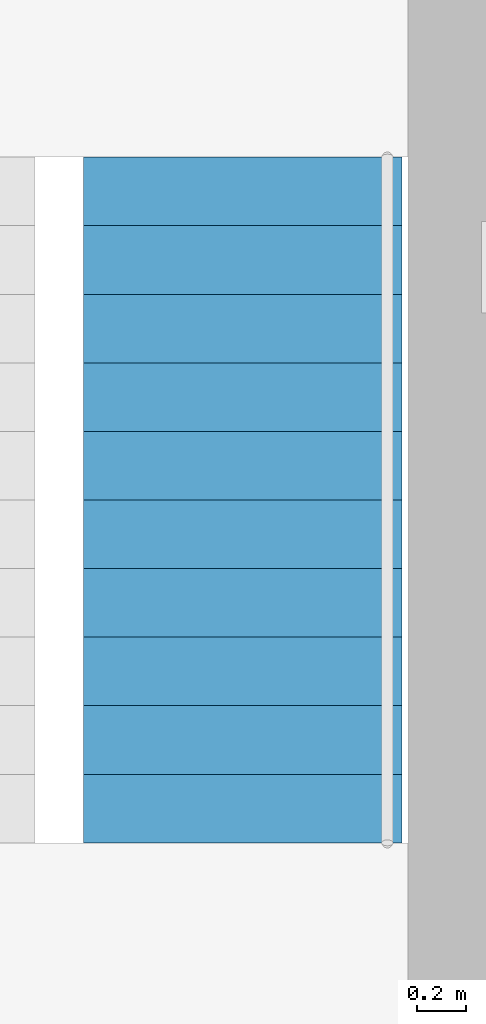
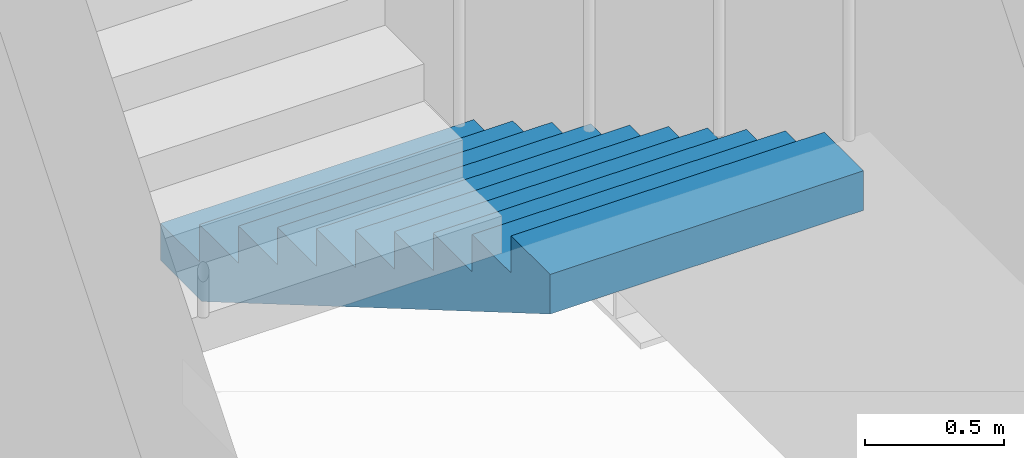
# One storey, part 9 of 12: 1 stair flight, 1 element without a shape of its own.
"""IFC4 building model written with IfcOpenShell, lengths in metres."""

from ifc_helpers import new_model, si_unit, direction, frame, origin, place, context, subcontext, project, spatial, polyline, outline, extrude, material, type_object, element, aggregate, save


model = new_model("IFC4")

# Units and contexts
model_context = context("Model", 3, precision=1e-05, world=origin(), true_north=direction((0.0, 1.0)))
body_context = subcontext(model_context, "Body", "Model", "MODEL_VIEW")
ifc_project = project(units=[si_unit("LENGTHUNIT", "METRE"), si_unit("AREAUNIT", "SQUARE_METRE"), si_unit("VOLUMEUNIT", "CUBIC_METRE"), si_unit("PLANEANGLEUNIT", "RADIAN"), si_unit("MASSUNIT", "GRAM", prefix="KILO")], contexts=[model_context])

# Site, building, storey
site_placement = place(None, origin())
site = spatial("IfcSite", under=ifc_project, at=site_placement, CompositionType="ELEMENT")
building_placement = place(site_placement, origin())
building = spatial("IfcBuilding", under=site, at=building_placement, Name="Loomwork Tower", CompositionType="ELEMENT")
storey_placement = place(building_placement, frame((0.0, 0.0, 251.800048828125)))
storey = spatial("IfcBuildingStorey", under=building, at=storey_placement, Name="L69", CompositionType="ELEMENT", Elevation=251.800048828125)

# Stair, stair flight
ifc_material_1 = material(Name="Concrete 5000 psi (34 MPa) precast stair", Category="concrete")
stair_type = type_object("IfcStairType", Name="Stair ST-B 22 risers 2850 wide", PredefinedType="HALF_TURN_STAIR", material=ifc_material_1)
stair_placement = place(storey_placement, origin())
stair = element("IfcStair", 1, at=stair_placement, inside=storey, type_object=stair_type, Name="Stair B L69", PredefinedType="HALF_TURN_STAIR")
ifc_material_2 = material(Name="Concrete 5000 psi (34 MPa) precast stair", Category="concrete")
stair_flight_type = type_object("IfcStairFlightType", Name="Stair flight ST-B 11 risers 1300 wide", PredefinedType="STRAIGHT", material=ifc_material_2)
stair_flight_placement = place(storey_placement, frame((32.925048828125, 18.449951171875, 0.0), z_axis=(0.0, 0.0, 1.0), x_axis=(0.0, -1.0, 0.0)))
stair_flight = element("IfcStairFlight", 2, at=stair_flight_placement, type_object=stair_flight_type, Name="ST-B flight 1", NumberOfRisers=11, NumberOfTreads=10, PredefinedType="STRAIGHT", RiserHeight=0.163636364, TreadLength=0.28, context=body_context, shape_type="SweptSolid", body=[
    extrude(outline(polyline([(0.0, 0.0), (0.0, 0.16357421875), (0.280029296875, 0.16357421875), (0.280029296875, 0.327392578125), (0.56005859375, 0.327392578125), (0.56005859375, 0.490966796875), (0.840087890625, 0.490966796875), (0.840087890625, 0.654541015625), (1.1201171875, 0.654541015625), (1.1201171875, 0.818115234375), (1.39990234375, 0.818115234375), (1.39990234375, 0.98193359375), (1.679931640625, 0.98193359375), (1.679931640625, 1.1455078125), (1.9599609375, 1.1455078125), (1.9599609375, 1.30908203125), (2.239990234375, 1.30908203125), (2.239990234375, 1.47265625), (2.52001953125, 1.47265625), (2.52001953125, 1.636474609375), (2.800048828125, 1.636474609375), (2.800048828125, 1.800048828125), (2.800048828125, 1.462646484375), (0.297119140625, 0.0), (0.0, 0.0)])), frame((0.0, 0.64990234375, 0.0), z_axis=(0.0, -1.0, 0.0), x_axis=(1.0, 0.0, 0.0)), (0.0, 0.0, 1.0), 1.300048828125),
])
aggregate(stair, [stair_flight])

save(model, "model.ifc")
